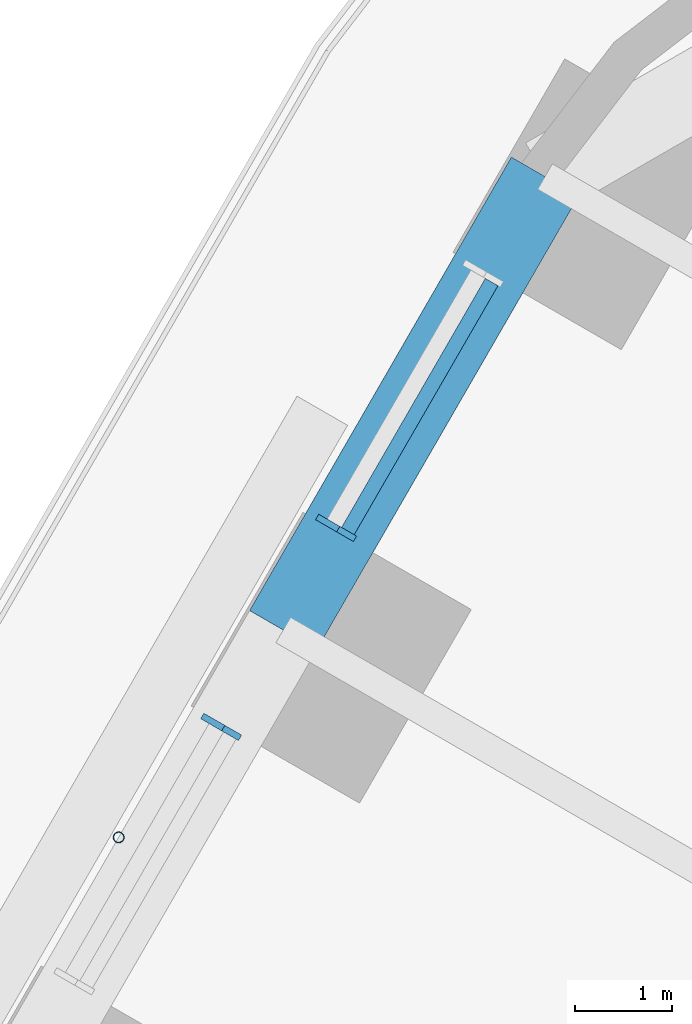
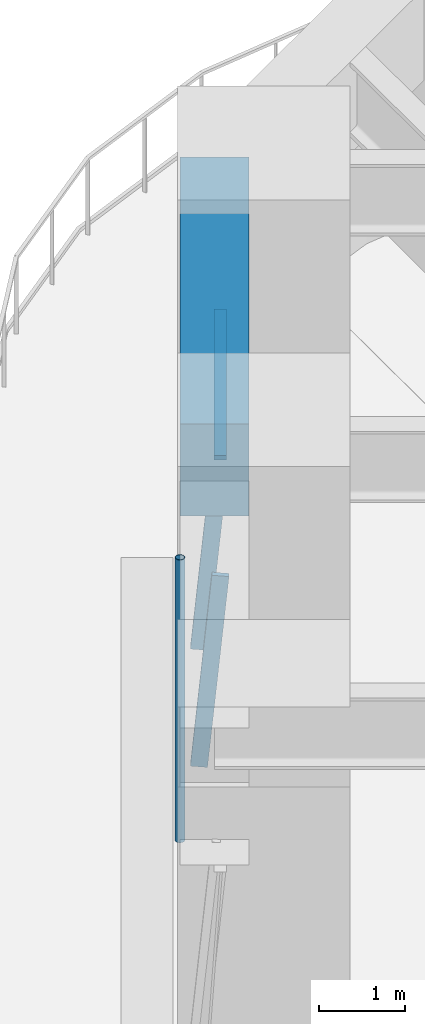
# One storey, part 9 of 23: 4 members, 1 beam, 2 elements without a shape of their own.
"""IFC4 building model written with IfcOpenShell, lengths in metres."""

from ifc_helpers import new_model, si_unit, direction, frame, origin, origin_2d, place, context, subcontext, project, spatial, rectangle, hollow_circle, extrude, material, material_profile, profile_set, type_object, element, aggregate, save


model = new_model("IFC4")

# Units and contexts
model_context = context("Model", 3, precision=1e-05, world=origin(), true_north=direction((0.0, 1.0)))
body_context = subcontext(model_context, "Body", "Model", "MODEL_VIEW")
ifc_project = project(units=[si_unit("LENGTHUNIT", "METRE"), si_unit("AREAUNIT", "SQUARE_METRE"), si_unit("VOLUMEUNIT", "CUBIC_METRE"), si_unit("PLANEANGLEUNIT", "RADIAN"), si_unit("MASSUNIT", "GRAM", prefix="KILO")], contexts=[model_context])

# Site, building, storey
site_placement = place(None, origin())
site = spatial("IfcSite", under=ifc_project, at=site_placement, CompositionType="ELEMENT")
building_placement = place(site_placement, origin())
building = spatial("IfcBuilding", under=site, at=building_placement, Name="Tarfa Lantern Tower", CompositionType="ELEMENT")
storey_placement = place(building_placement, frame((0.0, 0.0, 27.699951171875)))
storey = spatial("IfcBuildingStorey", under=building, at=storey_placement, Name="L05", CompositionType="ELEMENT", Elevation=27.699951171875)

# Curtain wall, member
ifc_material_1 = material(Name="Aluminium framed curtain wall", Category="aluminium")
curtain_wall_type = type_object("IfcCurtainWallType", Name="CW1 CANTED GLAZING LOW ZONE 2700", PredefinedType="USERDEFINED", material=ifc_material_1)
curtain_wall_1_placement = place(storey_placement, origin())
curtain_wall_1 = element("IfcCurtainWall", 1, at=curtain_wall_1_placement, inside=storey, type_object=curtain_wall_type, Name="CW1 NW L05", ObjectType="CURTAIN WALL", PredefinedType="USERDEFINED")
ifc_material_2 = material(Name="Aluminium mullion", Category="aluminium")
ifc_material_profile_1 = material_profile(ifc_material_2, rectangle(XDim=0.06494140625, YDim=0.199951171875, at=origin_2d()), Name="AL MULLION 65x200")
ifc_profile_set_1 = profile_set([ifc_material_profile_1], Name="Aluminium mullion")
member_type_1 = type_object("IfcMemberType", Name="CWM1 MULLION 65x200", PredefinedType="MULLION", material=ifc_profile_set_1)
member_1_placement = place(storey_placement, frame((-23.37841796875, 27.307373046875, 0.0), z_axis=(0.07986442134, -0.046099868913, 0.99573916077), x_axis=(0.499919672301, 0.866071776036, 0.0)))
member_1 = element("IfcMember", 2, at=member_1_placement, type_object=member_type_1, Name="CW1 mullion 2", PredefinedType="MULLION", context=body_context, shape_type="SweptSolid", body=[
    extrude(rectangle(XDim=0.06494140625, YDim=0.199951171875, at=origin_2d()), origin(), (0.0, 0.0, 1.0), 2.71142578125),
])

curtain_wall_2_placement = place(storey_placement, origin())
curtain_wall_2 = element("IfcCurtainWall", 3, at=curtain_wall_2_placement, inside=storey, type_object=curtain_wall_type, Name="CW1 NW L05", ObjectType="CURTAIN WALL", PredefinedType="USERDEFINED")
member_2_placement = place(storey_placement, frame((-24.560791015625, 25.25927734375, 0.0), z_axis=(0.079774955866, -0.04610020023, 0.995746317068), x_axis=(0.500342721131, 0.865827443207, 0.0)))
member_2 = element("IfcMember", 4, at=member_2_placement, type_object=member_type_1, Name="CW1 mullion 1", PredefinedType="MULLION", context=body_context, shape_type="SweptSolid", body=[
    extrude(rectangle(XDim=0.06494140625, YDim=0.199951171875, at=origin_2d()), origin(), (0.0, 0.0, 1.0), 2.71142578125),
])
aggregate(curtain_wall_2, [member_2])

# Member
ifc_material_3 = material(Name="Aluminium transom", Category="aluminium")
ifc_material_profile_2 = material_profile(ifc_material_3, rectangle(XDim=0.14990234375, YDim=0.06494140625, at=origin_2d()), Name="AL TRANSOM 150x65")
ifc_profile_set_2 = profile_set([ifc_material_profile_2], Name="Aluminium transom")
member_type_2 = type_object("IfcMemberType", Name="CWT1 TRANSOM 150x65", PredefinedType="USERDEFINED", material=ifc_profile_set_2)
member_3_placement = place(storey_placement, frame((-21.6689453125, 29.774169921875, 2.66748046875), z_axis=(-0.500017718492, -0.866015173767, 0.0), x_axis=(0.866015173767, -0.500017718492, 0.0)))
member_3 = element("IfcMember", 5, at=member_3_placement, type_object=member_type_2, Name="CW1 transom 1.2", ObjectType="TRANSOM", PredefinedType="USERDEFINED", context=body_context, shape_type="SweptSolid", body=[
    extrude(rectangle(XDim=0.14990234375, YDim=0.06494140625, at=origin_2d()), origin(), (0.0, 0.0, 1.0), 2.95849609375),
])

aggregate(curtain_wall_1, [member_1, member_3])

# Beam
ifc_material_4 = material(Name="Concrete C80/95", Category="concrete")
ifc_material_profile_3 = material_profile(ifc_material_4, rectangle(XDim=0.800048828125, YDim=1.300048828125, at=origin_2d()), Name="RC 800x1300")
ifc_profile_set_3 = profile_set([ifc_material_profile_3], Name="Concrete C80/95")
beam_type = type_object("IfcBeamType", Name="EB1 RC 800x1300", PredefinedType="SPANDREL", material=ifc_profile_set_3)
beam_placement = place(storey_placement, frame((-21.119384765625, 30.860107421875, 3.35009765625), z_axis=(-0.499998287579, -0.866026392449, 0.0), x_axis=(0.866026392449, -0.499998287579, 0.0)))
element("IfcBeam", 6, at=beam_placement, inside=storey, type_object=beam_type, Name="Edge beam NW0", PredefinedType="SPANDREL", context=body_context, shape_type="SweptSolid", body=[
    extrude(rectangle(XDim=0.800048828125, YDim=1.300048828125, at=origin_2d()), origin(), (0.0, 0.0, 1.0), 5.388671875),
])

# Member
ifc_material_5 = material(Name="Steel S355", Category="steel")
ifc_material_profile_4 = material_profile(ifc_material_5, hollow_circle(Radius=0.05712890625, WallThickness=0.00634765625, at=origin_2d()), Name="CHS114.3x6.3")
ifc_profile_set_4 = profile_set([ifc_material_profile_4], Name="Steel S355")
member_type_3 = type_object("IfcMemberType", Name="TR1 GREEN WALL TRELLIS CHS114.3x6.3", PredefinedType="USERDEFINED", material=ifc_profile_set_4)
member_4_placement = place(storey_placement, frame((-25.50732421875, 24.06005859375, 0.0), z_axis=(0.0, 0.0, 1.0), x_axis=(1.0, 0.0, 0.0)))
element("IfcMember", 7, at=member_4_placement, inside=storey, type_object=member_type_3, Name="Trellis post NW 1", ObjectType="TRELLIS", PredefinedType="USERDEFINED", context=body_context, shape_type="SweptSolid", body=[
    extrude(hollow_circle(Radius=0.05712890625, WallThickness=0.00634765625, at=origin_2d()), origin(), (0.0, 0.0, 1.0), 4.0),
])

save(model, "model.ifc")
